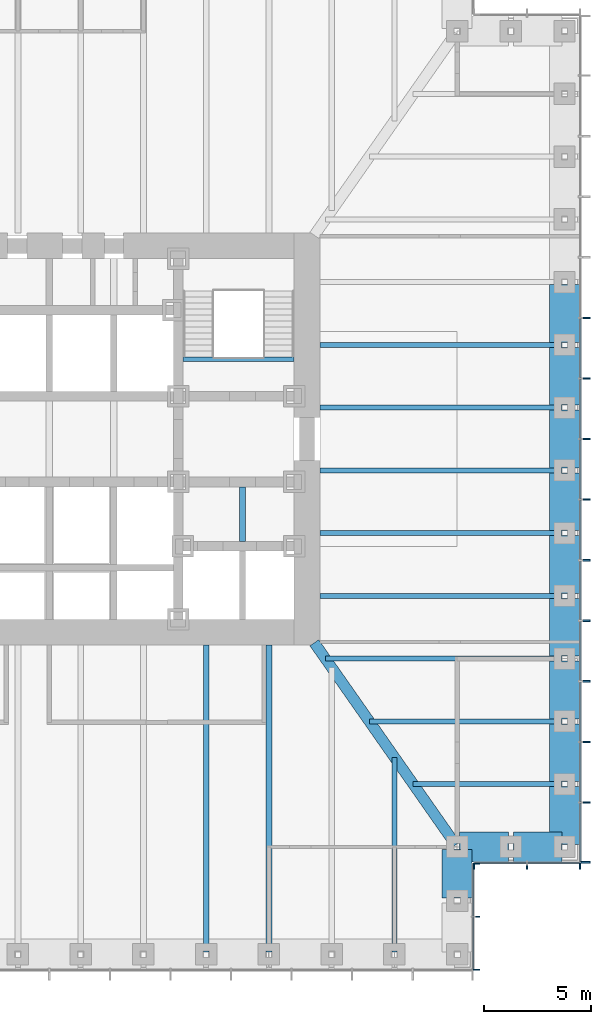
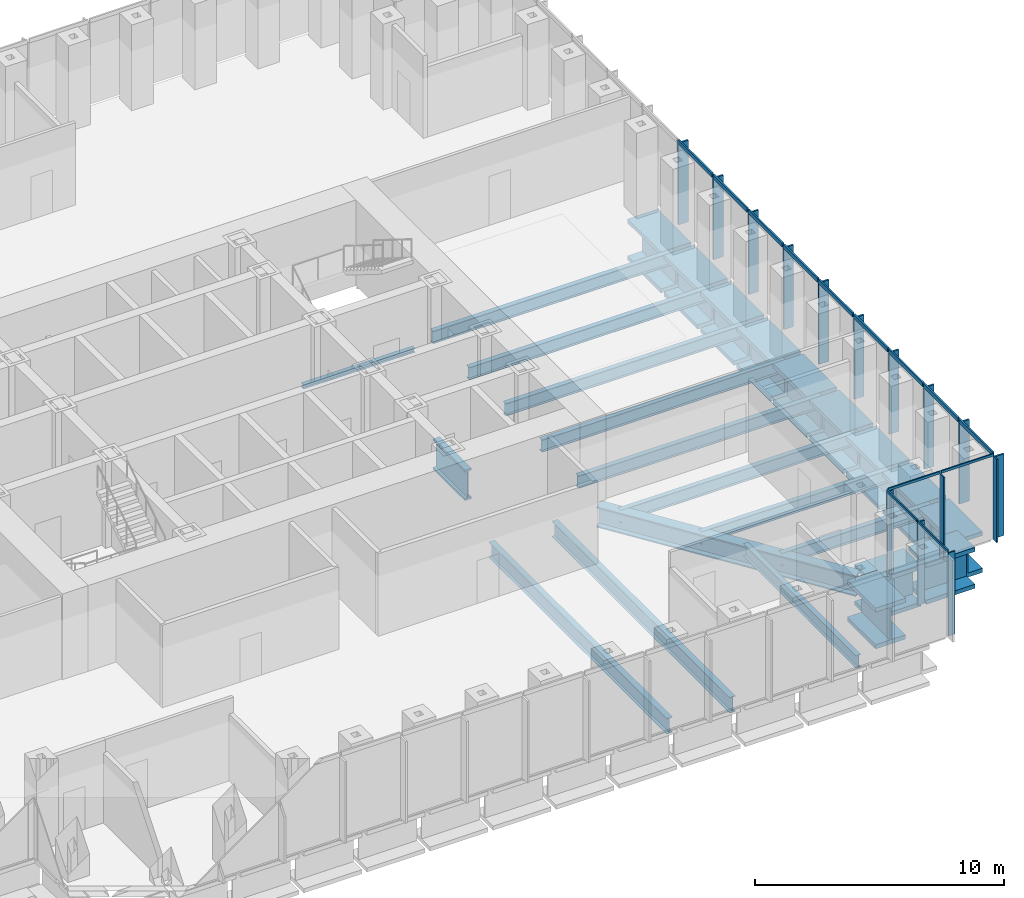
# One storey, part 4 of 16: 29 members, 26 beams, 3 elements without a shape of their own.
"""IFC4 building model written with IfcOpenShell, lengths in metres."""

from ifc_helpers import new_model, si_unit, direction, frame, origin, origin_2d, place, context, subcontext, project, spatial, rectangle, i_section, extrude, material, material_profile, profile_set, type_object, element, aggregate, save


model = new_model("IFC4")

# Units and contexts
model_context = context("Model", 3, precision=1e-05, world=origin(), true_north=direction((0.0, 1.0)))
body_context = subcontext(model_context, "Body", "Model", "MODEL_VIEW")
ifc_project = project(units=[si_unit("LENGTHUNIT", "METRE"), si_unit("AREAUNIT", "SQUARE_METRE"), si_unit("VOLUMEUNIT", "CUBIC_METRE"), si_unit("PLANEANGLEUNIT", "RADIAN"), si_unit("MASSUNIT", "GRAM", prefix="KILO")], contexts=[model_context])

# Site, building, storey
site_placement = place(None, origin())
site = spatial("IfcSite", under=ifc_project, at=site_placement, CompositionType="ELEMENT")
building_placement = place(site_placement, origin())
building = spatial("IfcBuilding", under=site, at=building_placement, Name="Daluyong Arena Tower", CompositionType="ELEMENT")
storey_placement = place(building_placement, frame((0.0, 0.0, 39.10009765625)))
storey = spatial("IfcBuildingStorey", under=building, at=storey_placement, Name="L07", CompositionType="ELEMENT", Elevation=39.10009765625)

# Curtain wall, members
ifc_material_1 = material(Name="Bronze anodised aluminium and glass", Category="aluminium")
curtain_wall_type_1 = type_object("IfcCurtainWallType", Name="Curtain wall CW1", PredefinedType="USERDEFINED", material=ifc_material_1)
curtain_wall_1_placement = place(storey_placement, origin())
curtain_wall_1 = element("IfcCurtainWall", 1, at=curtain_wall_1_placement, inside=storey, type_object=curtain_wall_type_1, Name="curtain wall L07 E", ObjectType="UNITISED CURTAIN WALL", PredefinedType="USERDEFINED")
ifc_material_2 = material(Name="Bronze anodised aluminium fin", Category="aluminium")
ifc_material_profile_1 = material_profile(ifc_material_2, rectangle(XDim=0.449951171875, YDim=0.080078125, at=origin_2d()))
ifc_profile_set_1 = profile_set([ifc_material_profile_1], Name="Bronze anodised aluminium fin")
member_type_1 = type_object("IfcMemberType", Name="CW1 bronze fin 450x80", PredefinedType="MULLION", material=ifc_profile_set_1)
member_1_placement = place(storey_placement, frame((80.97509765625, 60.2900390625, 0.0), z_axis=(0.0, 0.0, 1.0), x_axis=(-1.0, 0.0, 0.0)))
member_1 = element("IfcMember", 2, at=member_1_placement, type_object=member_type_1, Name="curtain wall L07 E fin 1", PredefinedType="MULLION", context=body_context, shape_type="SweptSolid", body=[
    extrude(rectangle(XDim=0.449951171875, YDim=0.080078125, at=origin_2d()), origin(), (0.0, 0.0, 1.0), 4.0),
])
member_2_placement = place(storey_placement, frame((80.97509765625, 63.071533203125, 0.0), z_axis=(0.0, 0.0, 1.0), x_axis=(-1.0, 0.0, 0.0)))
member_2 = element("IfcMember", 3, at=member_2_placement, type_object=member_type_1, Name="curtain wall L07 E fin 2", PredefinedType="MULLION", context=body_context, shape_type="SweptSolid", body=[
    extrude(rectangle(XDim=0.449951171875, YDim=0.080078125, at=origin_2d()), origin(), (0.0, 0.0, 1.0), 4.0),
])
member_3_placement = place(storey_placement, frame((80.97509765625, 65.892822265625, 0.0), z_axis=(0.0, 0.0, 1.0), x_axis=(-1.0, 0.0, 0.0)))
member_3 = element("IfcMember", 4, at=member_3_placement, type_object=member_type_1, Name="curtain wall L07 E fin 3", PredefinedType="MULLION", context=body_context, shape_type="SweptSolid", body=[
    extrude(rectangle(XDim=0.449951171875, YDim=0.080078125, at=origin_2d()), origin(), (0.0, 0.0, 1.0), 4.0),
])
member_4_placement = place(storey_placement, frame((80.97509765625, 68.71435546875, 0.0), z_axis=(0.0, 0.0, 1.0), x_axis=(-1.0, 0.0, 0.0)))
member_4 = element("IfcMember", 5, at=member_4_placement, type_object=member_type_1, Name="curtain wall L07 E fin 4", PredefinedType="MULLION", context=body_context, shape_type="SweptSolid", body=[
    extrude(rectangle(XDim=0.449951171875, YDim=0.080078125, at=origin_2d()), origin(), (0.0, 0.0, 1.0), 4.0),
])
member_5_placement = place(storey_placement, frame((80.97509765625, 71.53564453125, 0.0), z_axis=(0.0, 0.0, 1.0), x_axis=(-1.0, 0.0, 0.0)))
member_5 = element("IfcMember", 6, at=member_5_placement, type_object=member_type_1, Name="curtain wall L07 E fin 5", PredefinedType="MULLION", context=body_context, shape_type="SweptSolid", body=[
    extrude(rectangle(XDim=0.449951171875, YDim=0.080078125, at=origin_2d()), origin(), (0.0, 0.0, 1.0), 4.0),
])
member_6_placement = place(storey_placement, frame((80.97509765625, 74.357177734375, 0.0), z_axis=(0.0, 0.0, 1.0), x_axis=(-1.0, 0.0, 0.0)))
member_6 = element("IfcMember", 7, at=member_6_placement, type_object=member_type_1, Name="curtain wall L07 E fin 6", PredefinedType="MULLION", context=body_context, shape_type="SweptSolid", body=[
    extrude(rectangle(XDim=0.449951171875, YDim=0.080078125, at=origin_2d()), origin(), (0.0, 0.0, 1.0), 4.0),
])
member_7_placement = place(storey_placement, frame((80.97509765625, 77.178466796875, 0.0), z_axis=(0.0, 0.0, 1.0), x_axis=(-1.0, 0.0, 0.0)))
member_7 = element("IfcMember", 8, at=member_7_placement, type_object=member_type_1, Name="curtain wall L07 E fin 7", PredefinedType="MULLION", context=body_context, shape_type="SweptSolid", body=[
    extrude(rectangle(XDim=0.449951171875, YDim=0.080078125, at=origin_2d()), origin(), (0.0, 0.0, 1.0), 4.0),
])
member_8_placement = place(storey_placement, frame((80.97509765625, 80.0, 0.0), z_axis=(0.0, 0.0, 1.0), x_axis=(-1.0, 0.0, 0.0)))
member_8 = element("IfcMember", 9, at=member_8_placement, type_object=member_type_1, Name="curtain wall L07 E fin 8", PredefinedType="MULLION", context=body_context, shape_type="SweptSolid", body=[
    extrude(rectangle(XDim=0.449951171875, YDim=0.080078125, at=origin_2d()), origin(), (0.0, 0.0, 1.0), 4.0),
])
member_9_placement = place(storey_placement, frame((80.97509765625, 82.821533203125, 0.0), z_axis=(0.0, 0.0, 1.0), x_axis=(-1.0, 0.0, 0.0)))
member_9 = element("IfcMember", 10, at=member_9_placement, type_object=member_type_1, Name="curtain wall L07 E fin 9", PredefinedType="MULLION", context=body_context, shape_type="SweptSolid", body=[
    extrude(rectangle(XDim=0.449951171875, YDim=0.080078125, at=origin_2d()), origin(), (0.0, 0.0, 1.0), 4.0),
])
member_10_placement = place(storey_placement, frame((80.97509765625, 85.642822265625, 0.0), z_axis=(0.0, 0.0, 1.0), x_axis=(-1.0, 0.0, 0.0)))
member_10 = element("IfcMember", 11, at=member_10_placement, type_object=member_type_1, Name="curtain wall L07 E fin 10", PredefinedType="MULLION", context=body_context, shape_type="SweptSolid", body=[
    extrude(rectangle(XDim=0.449951171875, YDim=0.080078125, at=origin_2d()), origin(), (0.0, 0.0, 1.0), 4.0),
])
ifc_material_3 = material(Name="Bronze anodised aluminium", Category="aluminium")
ifc_material_profile_2 = material_profile(ifc_material_3, rectangle(XDim=0.080078125, YDim=0.199951171875, at=origin_2d()))
ifc_profile_set_2 = profile_set([ifc_material_profile_2], Name="Bronze anodised aluminium")
member_type_2 = type_object("IfcMemberType", Name="CW1 stack transom 200x80", PredefinedType="USERDEFINED", material=ifc_profile_set_2)
member_11_placement = place(storey_placement, frame((80.75, 60.330078125, 4.099853515625), z_axis=(0.0, 1.0, 0.0), x_axis=(-1.0, 0.0, 0.0)))
member_11 = element("IfcMember", 12, at=member_11_placement, type_object=member_type_2, Name="curtain wall L07 E transom 1", ObjectType="TRANSOM", PredefinedType="USERDEFINED", context=body_context, shape_type="SweptSolid", body=[
    extrude(rectangle(XDim=0.080078125, YDim=0.199951171875, at=origin_2d()), origin(), (0.0, 0.0, 1.0), 2.701416015625),
])
member_12_placement = place(storey_placement, frame((80.75, 63.111328125, 4.099853515625), z_axis=(0.0, 1.0, 0.0), x_axis=(-1.0, 0.0, 0.0)))
member_12 = element("IfcMember", 13, at=member_12_placement, type_object=member_type_2, Name="curtain wall L07 E transom 2", ObjectType="TRANSOM", PredefinedType="USERDEFINED", context=body_context, shape_type="SweptSolid", body=[
    extrude(rectangle(XDim=0.080078125, YDim=0.199951171875, at=origin_2d()), origin(), (0.0, 0.0, 1.0), 2.741455078125),
])
member_13_placement = place(storey_placement, frame((80.75, 65.932861328125, 4.099853515625), z_axis=(0.0, 1.0, 0.0), x_axis=(-1.0, 0.0, 0.0)))
member_13 = element("IfcMember", 14, at=member_13_placement, type_object=member_type_2, Name="curtain wall L07 E transom 3", ObjectType="TRANSOM", PredefinedType="USERDEFINED", context=body_context, shape_type="SweptSolid", body=[
    extrude(rectangle(XDim=0.080078125, YDim=0.199951171875, at=origin_2d()), origin(), (0.0, 0.0, 1.0), 2.741455078125),
])
member_14_placement = place(storey_placement, frame((80.75, 68.75439453125, 4.099853515625), z_axis=(0.0, 1.0, 0.0), x_axis=(-1.0, 0.0, 0.0)))
member_14 = element("IfcMember", 15, at=member_14_placement, type_object=member_type_2, Name="curtain wall L07 E transom 4", ObjectType="TRANSOM", PredefinedType="USERDEFINED", context=body_context, shape_type="SweptSolid", body=[
    extrude(rectangle(XDim=0.080078125, YDim=0.199951171875, at=origin_2d()), origin(), (0.0, 0.0, 1.0), 2.7412109375),
])
member_15_placement = place(storey_placement, frame((80.75, 71.57568359375, 4.099853515625), z_axis=(0.0, 1.0, 0.0), x_axis=(-1.0, 0.0, 0.0)))
member_15 = element("IfcMember", 16, at=member_15_placement, type_object=member_type_2, Name="curtain wall L07 E transom 5", ObjectType="TRANSOM", PredefinedType="USERDEFINED", context=body_context, shape_type="SweptSolid", body=[
    extrude(rectangle(XDim=0.080078125, YDim=0.199951171875, at=origin_2d()), origin(), (0.0, 0.0, 1.0), 2.741455078125),
])
member_16_placement = place(storey_placement, frame((80.75, 74.397216796875, 4.099853515625), z_axis=(0.0, 1.0, 0.0), x_axis=(-1.0, 0.0, 0.0)))
member_16 = element("IfcMember", 17, at=member_16_placement, type_object=member_type_2, Name="curtain wall L07 E transom 6", ObjectType="TRANSOM", PredefinedType="USERDEFINED", context=body_context, shape_type="SweptSolid", body=[
    extrude(rectangle(XDim=0.080078125, YDim=0.199951171875, at=origin_2d()), origin(), (0.0, 0.0, 1.0), 2.741455078125),
])
member_17_placement = place(storey_placement, frame((80.75, 77.218505859375, 4.099853515625), z_axis=(0.0, 1.0, 0.0), x_axis=(-1.0, 0.0, 0.0)))
member_17 = element("IfcMember", 18, at=member_17_placement, type_object=member_type_2, Name="curtain wall L07 E transom 7", ObjectType="TRANSOM", PredefinedType="USERDEFINED", context=body_context, shape_type="SweptSolid", body=[
    extrude(rectangle(XDim=0.080078125, YDim=0.199951171875, at=origin_2d()), origin(), (0.0, 0.0, 1.0), 2.741455078125),
])
member_18_placement = place(storey_placement, frame((80.75, 80.0400390625, 4.099853515625), z_axis=(0.0, 1.0, 0.0), x_axis=(-1.0, 0.0, 0.0)))
member_18 = element("IfcMember", 19, at=member_18_placement, type_object=member_type_2, Name="curtain wall L07 E transom 8", ObjectType="TRANSOM", PredefinedType="USERDEFINED", context=body_context, shape_type="SweptSolid", body=[
    extrude(rectangle(XDim=0.080078125, YDim=0.199951171875, at=origin_2d()), origin(), (0.0, 0.0, 1.0), 2.741455078125),
])
member_19_placement = place(storey_placement, frame((80.75, 82.861328125, 4.099853515625), z_axis=(0.0, 1.0, 0.0), x_axis=(-1.0, 0.0, 0.0)))
member_19 = element("IfcMember", 20, at=member_19_placement, type_object=member_type_2, Name="curtain wall L07 E transom 9", ObjectType="TRANSOM", PredefinedType="USERDEFINED", context=body_context, shape_type="SweptSolid", body=[
    extrude(rectangle(XDim=0.080078125, YDim=0.199951171875, at=origin_2d()), origin(), (0.0, 0.0, 1.0), 2.741455078125),
])
aggregate(curtain_wall_1, [member_1, member_2, member_3, member_4, member_5, member_6, member_7, member_8, member_9, member_10, member_11, member_12, member_13, member_14, member_15, member_16, member_17, member_18, member_19])

ifc_material_4 = material(Name="Bronze anodised aluminium and glass", Category="aluminium")
curtain_wall_type_2 = type_object("IfcCurtainWallType", Name="Curtain wall CW7", PredefinedType="USERDEFINED", material=ifc_material_4)
curtain_wall_2_placement = place(storey_placement, origin())
curtain_wall_2 = element("IfcCurtainWall", 21, at=curtain_wall_2_placement, inside=storey, type_object=curtain_wall_type_2, Name="curtain wall L07 SE-E", ObjectType="UNITISED CURTAIN WALL", PredefinedType="USERDEFINED")
ifc_material_5 = material(Name="Bronze anodised aluminium fin", Category="aluminium")
ifc_material_profile_3 = material_profile(ifc_material_5, rectangle(XDim=0.300048828125, YDim=0.06005859375, at=origin_2d()))
ifc_profile_set_3 = profile_set([ifc_material_profile_3], Name="Bronze anodised aluminium fin")
member_type_3 = type_object("IfcMemberType", Name="CW7 bronze fin 300x60", PredefinedType="MULLION", material=ifc_profile_set_3)
member_20_placement = place(storey_placement, frame((75.89990234375, 55.280029296875, 0.0), z_axis=(0.0, 0.0, 1.0), x_axis=(-1.0, 0.0, 0.0)))
member_20 = element("IfcMember", 22, at=member_20_placement, type_object=member_type_3, Name="curtain wall L07 SE-E fin 1", PredefinedType="MULLION", context=body_context, shape_type="SweptSolid", body=[
    extrude(rectangle(XDim=0.300048828125, YDim=0.06005859375, at=origin_2d()), origin(), (0.0, 0.0, 1.0), 4.079833984375),
])
member_21_placement = place(storey_placement, frame((75.89990234375, 57.75, 0.0), z_axis=(0.0, 0.0, 1.0), x_axis=(-1.0, 0.0, 0.0)))
member_21 = element("IfcMember", 23, at=member_21_placement, type_object=member_type_3, Name="curtain wall L07 SE-E fin 2", PredefinedType="MULLION", context=body_context, shape_type="SweptSolid", body=[
    extrude(rectangle(XDim=0.300048828125, YDim=0.06005859375, at=origin_2d()), origin(), (0.0, 0.0, 1.0), 4.079833984375),
])
member_22_placement = place(storey_placement, frame((75.89990234375, 60.219970703125, 0.0), z_axis=(0.0, 0.0, 1.0), x_axis=(-1.0, 0.0, 0.0)))
member_22 = element("IfcMember", 24, at=member_22_placement, type_object=member_type_3, Name="curtain wall L07 SE-E fin 3", PredefinedType="MULLION", context=body_context, shape_type="SweptSolid", body=[
    extrude(rectangle(XDim=0.300048828125, YDim=0.06005859375, at=origin_2d()), origin(), (0.0, 0.0, 1.0), 4.079833984375),
])

curtain_wall_3_placement = place(storey_placement, origin())
curtain_wall_3 = element("IfcCurtainWall", 25, at=curtain_wall_3_placement, inside=storey, type_object=curtain_wall_type_2, Name="curtain wall L07 SE-S", ObjectType="UNITISED CURTAIN WALL", PredefinedType="USERDEFINED")
member_23_placement = place(storey_placement, frame((75.780029296875, 60.10009765625, 0.0), z_axis=(0.0, 0.0, 1.0), x_axis=(0.0, 1.0, 0.0)))
member_23 = element("IfcMember", 26, at=member_23_placement, type_object=member_type_3, Name="curtain wall L07 SE-S fin 1", PredefinedType="MULLION", context=body_context, shape_type="SweptSolid", body=[
    extrude(rectangle(XDim=0.300048828125, YDim=0.06005859375, at=origin_2d()), origin(), (0.0, 0.0, 1.0), 4.079833984375),
])
member_24_placement = place(storey_placement, frame((78.25, 60.10009765625, 0.0), z_axis=(0.0, 0.0, 1.0), x_axis=(0.0, 1.0, 0.0)))
member_24 = element("IfcMember", 27, at=member_24_placement, type_object=member_type_3, Name="curtain wall L07 SE-S fin 2", PredefinedType="MULLION", context=body_context, shape_type="SweptSolid", body=[
    extrude(rectangle(XDim=0.300048828125, YDim=0.06005859375, at=origin_2d()), origin(), (0.0, 0.0, 1.0), 4.079833984375),
])
member_25_placement = place(storey_placement, frame((80.719970703125, 60.10009765625, 0.0), z_axis=(0.0, 0.0, 1.0), x_axis=(0.0, 1.0, 0.0)))
member_25 = element("IfcMember", 28, at=member_25_placement, type_object=member_type_3, Name="curtain wall L07 SE-S fin 3", PredefinedType="MULLION", context=body_context, shape_type="SweptSolid", body=[
    extrude(rectangle(XDim=0.300048828125, YDim=0.06005859375, at=origin_2d()), origin(), (0.0, 0.0, 1.0), 4.079833984375),
])

# Member
ifc_material_6 = material(Name="Bronze anodised aluminium", Category="aluminium")
ifc_material_profile_4 = material_profile(ifc_material_6, rectangle(XDim=0.06005859375, YDim=0.1201171875, at=origin_2d()))
ifc_profile_set_4 = profile_set([ifc_material_profile_4], Name="Bronze anodised aluminium")
member_type_4 = type_object("IfcMemberType", Name="CW7 stack transom 120x60", PredefinedType="USERDEFINED", material=ifc_profile_set_4)
member_26_placement = place(storey_placement, frame((75.75, 55.31005859375, 4.139892578125), z_axis=(0.0, 1.0, 0.0), x_axis=(-1.0, 0.0, 0.0)))
member_26 = element("IfcMember", 29, at=member_26_placement, type_object=member_type_4, Name="curtain wall L07 SE-E transom 1", ObjectType="TRANSOM", PredefinedType="USERDEFINED", context=body_context, shape_type="SweptSolid", body=[
    extrude(rectangle(XDim=0.06005859375, YDim=0.1201171875, at=origin_2d()), origin(), (0.0, 0.0, 1.0), 2.409912109375),
])

member_27_placement = place(storey_placement, frame((75.75, 57.780029296875, 4.139892578125), z_axis=(0.0, 1.0, 0.0), x_axis=(-1.0, 0.0, 0.0)))
member_27 = element("IfcMember", 30, at=member_27_placement, type_object=member_type_4, Name="curtain wall L07 SE-E transom 2", ObjectType="TRANSOM", PredefinedType="USERDEFINED", context=body_context, shape_type="SweptSolid", body=[
    extrude(rectangle(XDim=0.06005859375, YDim=0.1201171875, at=origin_2d()), origin(), (0.0, 0.0, 1.0), 2.409912109375),
])

aggregate(curtain_wall_2, [member_20, member_21, member_22, member_26, member_27])

member_28_placement = place(storey_placement, frame((75.81005859375, 60.25, 4.139892578125), z_axis=(1.0, 0.0, 0.0), x_axis=(0.0, 1.0, 0.0)))
member_28 = element("IfcMember", 31, at=member_28_placement, type_object=member_type_4, Name="curtain wall L07 SE-S transom 1", ObjectType="TRANSOM", PredefinedType="USERDEFINED", context=body_context, shape_type="SweptSolid", body=[
    extrude(rectangle(XDim=0.06005859375, YDim=0.1201171875, at=origin_2d()), origin(), (0.0, 0.0, 1.0), 2.409912109375),
])

member_29_placement = place(storey_placement, frame((78.280029296875, 60.25, 4.139892578125), z_axis=(1.0, 0.0, 0.0), x_axis=(0.0, 1.0, 0.0)))
member_29 = element("IfcMember", 32, at=member_29_placement, type_object=member_type_4, Name="curtain wall L07 SE-S transom 2", ObjectType="TRANSOM", PredefinedType="USERDEFINED", context=body_context, shape_type="SweptSolid", body=[
    extrude(rectangle(XDim=0.06005859375, YDim=0.1201171875, at=origin_2d()), origin(), (0.0, 0.0, 1.0), 2.409912109375),
])

aggregate(curtain_wall_3, [member_23, member_24, member_25, member_28, member_29])

# Beams
ifc_material_7 = material(Name="Steel ASTM A572 Grade 50", Category="steel")
ifc_material_profile_5 = material_profile(ifc_material_7, i_section(OverallWidth=0.5, OverallDepth=1.0, WebThickness=0.03, FlangeThickness=0.06, at=origin_2d()))
ifc_profile_set_5 = profile_set([ifc_material_profile_5], Name="Steel ASTM A572 Grade 50")
beam_type_1 = type_object("IfcBeamType", Name="Corner girder TB1000X500", PredefinedType="BEAM", material=ifc_profile_set_5)
beam_1_placement = place(storey_placement, frame((74.93408203125, 61.09423828125, -0.66015625), z_axis=(-0.573466621875, 0.819228926244, 0.0), x_axis=(-0.819228926244, -0.573466621875, 0.0)))
element("IfcBeam", 33, at=beam_1_placement, inside=storey, type_object=beam_type_1, Name="corner girder DG2", PredefinedType="BEAM", context=body_context, shape_type="SweptSolid", body=[
    extrude(i_section(OverallWidth=0.5, OverallDepth=1.0, WebThickness=0.03, FlangeThickness=0.06, at=origin_2d()), origin(), (0.0, 0.0, 1.0), 11.49169921875),
])
ifc_material_8 = material(Name="Steel ASTM A992 Grade 50", Category="steel")
ifc_material_profile_6 = material_profile(ifc_material_8, i_section(OverallWidth=0.22900390625, OverallDepth=0.612060546875, WebThickness=0.011962890625, FlangeThickness=0.01953125, at=origin_2d()))
ifc_profile_set_6 = profile_set([ifc_material_profile_6], Name="Steel ASTM A992 Grade 50")
beam_type_2 = type_object("IfcBeamType", Name="Floor beam W24X84", PredefinedType="BEAM", material=ifc_profile_set_6)
beam_2_placement = place(storey_placement, frame((72.076904296875, 56.114990234375, -0.466064453125), z_axis=(0.0, 1.0, 0.0), x_axis=(-1.0, 0.0, 0.0)))
element("IfcBeam", 34, at=beam_2_placement, inside=storey, type_object=beam_type_2, Name="floor beam FB3", PredefinedType="BEAM", context=body_context, shape_type="SweptSolid", body=[
    extrude(i_section(OverallWidth=0.22900390625, OverallDepth=0.612060546875, WebThickness=0.011962890625, FlangeThickness=0.01953125, at=origin_2d()), origin(), (0.0, 0.0, 1.0), 9.060791015625),
])
beam_3_placement = place(storey_placement, frame((79.885009765625, 63.923095703125, -0.466064453125), z_axis=(-1.0, 0.0, 0.0), x_axis=(0.0, -1.0, 0.0)))
element("IfcBeam", 35, at=beam_3_placement, inside=storey, type_object=beam_type_2, Name="floor beam FB3", PredefinedType="BEAM", context=body_context, shape_type="SweptSolid", body=[
    extrude(i_section(OverallWidth=0.22900390625, OverallDepth=0.612060546875, WebThickness=0.011962890625, FlangeThickness=0.01953125, at=origin_2d()), origin(), (0.0, 0.0, 1.0), 6.93115234375),
])
beam_4_placement = place(storey_placement, frame((79.885009765625, 66.84619140625, -0.466064453125), z_axis=(-1.0, 0.0, 0.0), x_axis=(0.0, -1.0, 0.0)))
element("IfcBeam", 36, at=beam_4_placement, inside=storey, type_object=beam_type_2, Name="floor beam FB3", PredefinedType="BEAM", context=body_context, shape_type="SweptSolid", body=[
    extrude(i_section(OverallWidth=0.22900390625, OverallDepth=0.612060546875, WebThickness=0.011962890625, FlangeThickness=0.01953125, at=origin_2d()), origin(), (0.0, 0.0, 1.0), 8.977294921875),
])
beam_5_placement = place(storey_placement, frame((79.885009765625, 69.769287109375, -0.466064453125), z_axis=(-1.0, 0.0, 0.0), x_axis=(0.0, -1.0, 0.0)))
element("IfcBeam", 37, at=beam_5_placement, inside=storey, type_object=beam_type_2, Name="floor beam FB3", PredefinedType="BEAM", context=body_context, shape_type="SweptSolid", body=[
    extrude(i_section(OverallWidth=0.22900390625, OverallDepth=0.612060546875, WebThickness=0.011962890625, FlangeThickness=0.01953125, at=origin_2d()), origin(), (0.0, 0.0, 1.0), 11.0234375),
])
for number, where, z_axis, x_axis, name in (
    (38, (79.885009765625, 72.6923828125, -0.466064453125), (-1.0, 0.0, 0.0), (0.0, -1.0, 0.0), "floor beam FB3"),
    (39, (79.885009765625, 75.615478515625, -0.466064453125), (-1.0, 0.0, 0.0), (0.0, -1.0, 0.0), "floor beam FB3"),
    (40, (79.885009765625, 78.53857421875, -0.466064453125), (-1.0, 0.0, 0.0), (0.0, -1.0, 0.0), "floor beam FB3"),
    (41, (79.885009765625, 81.46142578125, -0.466064453125), (-1.0, 0.0, 0.0), (0.0, -1.0, 0.0), "floor beam FB3"),
    (42, (79.885009765625, 84.384521484375, -0.466064453125), (-1.0, 0.0, 0.0), (0.0, -1.0, 0.0), "floor beam FB3"),
):
    element("IfcBeam", number, at=place(storey_placement, frame(where, z_axis=z_axis, x_axis=x_axis)), inside=storey, type_object=beam_type_2, Name=name, PredefinedType="BEAM", context=body_context, shape_type="SweptSolid", body=[
        extrude(i_section(OverallWidth=0.22900390625, OverallDepth=0.612060546875, WebThickness=0.011962890625, FlangeThickness=0.01953125, at=origin_2d()), origin(), (0.0, 0.0, 1.0), 11.284912109375),
    ])
ifc_material_9 = material(Name="Steel ASTM A992 Grade 50", Category="steel")
ifc_material_profile_7 = material_profile(ifc_material_9, i_section(OverallWidth=0.2666015625, OverallDepth=0.761962890625, WebThickness=0.014404296875, FlangeThickness=0.021484375, at=origin_2d()))
ifc_profile_set_7 = profile_set([ifc_material_profile_7], Name="Steel ASTM A992 Grade 50")
beam_type_3 = type_object("IfcBeamType", Name="Floor beam W30X116", PredefinedType="BEAM", material=ifc_profile_set_7)
for number, where, z_axis, x_axis, name in (
    (43, (63.3076171875, 56.114990234375, -0.541015625), (0.0, 1.0, 0.0), (-1.0, 0.0, 0.0), "floor beam FB4"),
    (44, (66.230712890625, 56.114990234375, -0.541015625), (0.0, 1.0, 0.0), (-1.0, 0.0, 0.0), "floor beam FB4"),
):
    element("IfcBeam", number, at=place(storey_placement, frame(where, z_axis=z_axis, x_axis=x_axis)), inside=storey, type_object=beam_type_3, Name=name, PredefinedType="BEAM", context=body_context, shape_type="SweptSolid", body=[
        extrude(i_section(OverallWidth=0.2666015625, OverallDepth=0.761962890625, WebThickness=0.014404296875, FlangeThickness=0.021484375, at=origin_2d()), origin(), (0.0, 0.0, 1.0), 14.284912109375),
    ])
ifc_material_10 = material(Name="Steel ASTM A572 Grade 50", Category="steel")
ifc_material_profile_8 = material_profile(ifc_material_10, i_section(OverallWidth=0.300048828125, OverallDepth=1.5, WebThickness=0.04, FlangeThickness=0.1, at=origin_2d()))
ifc_profile_set_8 = profile_set([ifc_material_profile_8], Name="Steel ASTM A572 Grade 50")
beam_type_4 = type_object("IfcBeamType", Name="Lift divider beam PG1500X300", PredefinedType="BEAM", material=ifc_profile_set_8)
beam_6_placement = place(storey_placement, frame((65.0, 75.22509765625, -0.91015625), z_axis=(0.0, 1.0, 0.0), x_axis=(-1.0, 0.0, 0.0)))
element("IfcBeam", 45, at=beam_6_placement, inside=storey, type_object=beam_type_4, Name="lift divider beam DB2", PredefinedType="BEAM", context=body_context, shape_type="SweptSolid", body=[
    extrude(i_section(OverallWidth=0.300048828125, OverallDepth=1.5, WebThickness=0.04, FlangeThickness=0.1, at=origin_2d()), origin(), (0.0, 0.0, 1.0), 2.5498046875),
])
ifc_material_11 = material(Name="Steel ASTM A588 Grade 50", Category="steel")
ifc_material_profile_9 = material_profile(ifc_material_11, i_section(OverallWidth=1.39990234375, OverallDepth=2.0, WebThickness=0.07, FlangeThickness=0.2, at=origin_2d()))
ifc_profile_set_9 = profile_set([ifc_material_profile_9], Name="Steel ASTM A588 Grade 50")
beam_type_5 = type_object("IfcBeamType", Name="Spandrel Z1 PG2000X1400", PredefinedType="SPANDREL", material=ifc_profile_set_9)
for number, where, z_axis, x_axis, name in (
    (46, (75.0, 58.614990234375, -1.16015625), (0.0, 1.0, 0.0), (-1.0, 0.0, 0.0), "spandrel z1 SB1"),
    (47, (75.114990234375, 61.0, -1.16015625), (1.0, 0.0, 0.0), (0.0, 1.0, 0.0), "spandrel z1 SB1"),
    (48, (77.614990234375, 61.0, -1.16015625), (1.0, 0.0, 0.0), (0.0, 1.0, 0.0), "spandrel z1 SB1"),
):
    element("IfcBeam", number, at=place(storey_placement, frame(where, z_axis=z_axis, x_axis=x_axis)), inside=storey, type_object=beam_type_5, Name=name, PredefinedType="SPANDREL", context=body_context, shape_type="SweptSolid", body=[
        extrude(i_section(OverallWidth=1.39990234375, OverallDepth=2.0, WebThickness=0.07, FlangeThickness=0.2, at=origin_2d()), origin(), (0.0, 0.0, 1.0), 2.27001953125),
    ])
for number, where, z_axis, x_axis, name in (
    (49, (80.0, 61.114990234375, -1.16015625), (0.0, 1.0, 0.0), (-1.0, 0.0, 0.0), "spandrel z1 SB1"),
    (50, (80.0, 64.0380859375, -1.16015625), (0.0, 1.0, 0.0), (-1.0, 0.0, 0.0), "spandrel z1 SB1"),
    (51, (80.0, 66.961181640625, -1.16015625), (0.0, 1.0, 0.0), (-1.0, 0.0, 0.0), "spandrel z1 SB1"),
    (52, (80.0, 69.88427734375, -1.16015625), (0.0, 1.0, 0.0), (-1.0, 0.0, 0.0), "spandrel z1 SB1"),
    (53, (80.0, 72.807373046875, -1.16015625), (0.0, 1.0, 0.0), (-1.0, 0.0, 0.0), "spandrel z1 SB1"),
    (54, (80.0, 75.73046875, -1.16015625), (0.0, 1.0, 0.0), (-1.0, 0.0, 0.0), "spandrel z1 SB1"),
):
    element("IfcBeam", number, at=place(storey_placement, frame(where, z_axis=z_axis, x_axis=x_axis)), inside=storey, type_object=beam_type_5, Name=name, PredefinedType="SPANDREL", context=body_context, shape_type="SweptSolid", body=[
        extrude(i_section(OverallWidth=1.39990234375, OverallDepth=2.0, WebThickness=0.07, FlangeThickness=0.2, at=origin_2d()), origin(), (0.0, 0.0, 1.0), 2.693115234375),
    ])
beam_7_placement = place(storey_placement, frame((80.0, 78.653564453125, -1.16015625), z_axis=(0.0, 1.0, 0.0), x_axis=(-1.0, 0.0, 0.0)))
element("IfcBeam", 55, at=beam_7_placement, inside=storey, type_object=beam_type_5, Name="spandrel z1 SB1", PredefinedType="SPANDREL", context=body_context, shape_type="SweptSolid", body=[
    extrude(i_section(OverallWidth=1.39990234375, OverallDepth=2.0, WebThickness=0.07, FlangeThickness=0.2, at=origin_2d()), origin(), (0.0, 0.0, 1.0), 2.69287109375),
])
for number, where, z_axis, x_axis, name in (
    (56, (80.0, 81.576416015625, -1.16015625), (0.0, 1.0, 0.0), (-1.0, 0.0, 0.0), "spandrel z1 SB1"),
    (57, (80.0, 84.49951171875, -1.16015625), (0.0, 1.0, 0.0), (-1.0, 0.0, 0.0), "spandrel z1 SB1"),
):
    element("IfcBeam", number, at=place(storey_placement, frame(where, z_axis=z_axis, x_axis=x_axis)), inside=storey, type_object=beam_type_5, Name=name, PredefinedType="SPANDREL", context=body_context, shape_type="SweptSolid", body=[
        extrude(i_section(OverallWidth=1.39990234375, OverallDepth=2.0, WebThickness=0.07, FlangeThickness=0.2, at=origin_2d()), origin(), (0.0, 0.0, 1.0), 2.693115234375),
    ])
ifc_material_12 = material(Name="Steel ASTM A992 Grade 50", Category="steel")
ifc_material_profile_10 = material_profile(ifc_material_12, i_section(OverallWidth=0.203125, OverallDepth=0.203125, WebThickness=0.00732421875, FlangeThickness=0.010986328125, at=origin_2d()))
ifc_profile_set_10 = profile_set([ifc_material_profile_10], Name="Steel ASTM A992 Grade 50")
beam_type_6 = type_object("IfcBeamType", Name="Stair landing beam W8X31", PredefinedType="BEAM", material=ifc_profile_set_10)
beam_8_placement = place(storey_placement, frame((62.22509765625, 83.723388671875, -0.26171875), z_axis=(1.0, 0.0, 0.0), x_axis=(0.0, 1.0, 0.0)))
element("IfcBeam", 58, at=beam_8_placement, inside=storey, type_object=beam_type_6, Name="exit stair B landing beam", PredefinedType="BEAM", context=body_context, shape_type="SweptSolid", body=[
    extrude(i_section(OverallWidth=0.203125, OverallDepth=0.203125, WebThickness=0.00732421875, FlangeThickness=0.010986328125, at=origin_2d()), origin(), (0.0, 0.0, 1.0), 5.1748046875),
])

save(model, "model.ifc")
